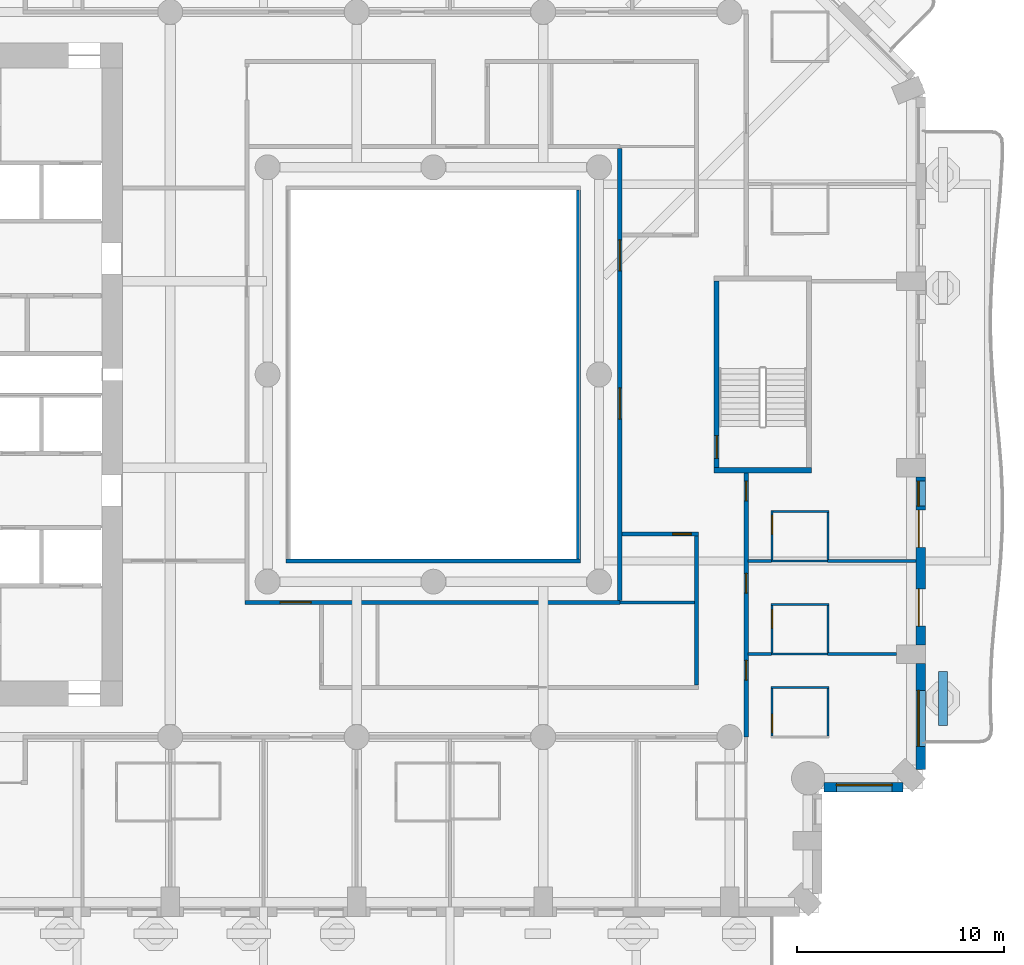
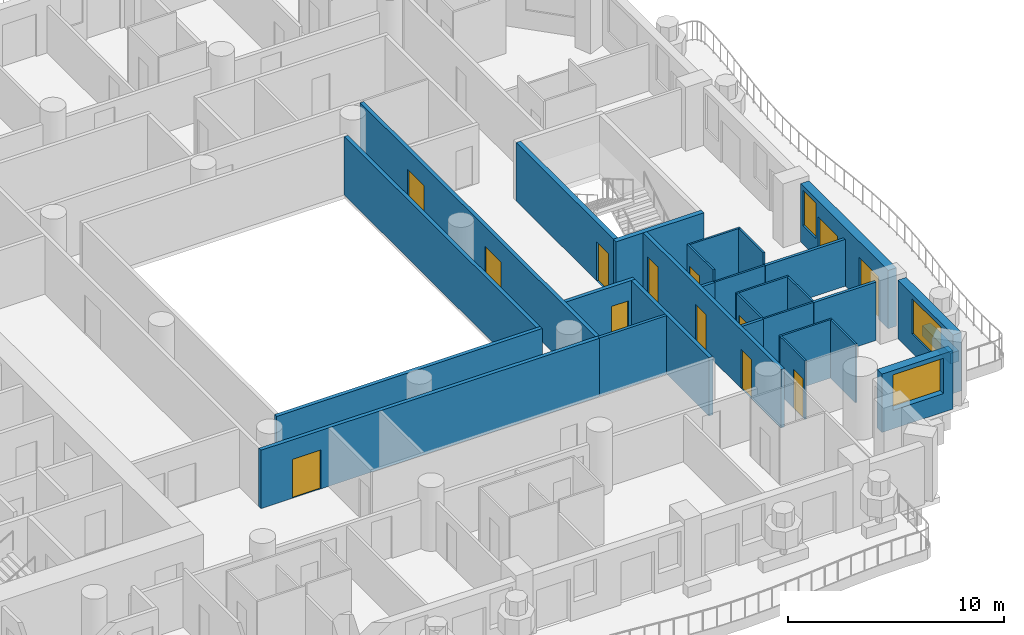
# One storey, part 6 of 20: 29 walls, 13 doors, 3 windows, 16 openings.
"""IFC4 building model written with IfcOpenShell, lengths in metres."""

from ifc_helpers import new_model, si_unit, direction, frame, frame_2d, origin, place, context, subcontext, project, spatial, rectangle, extrude, material, layer, layer_set, type_object, element, fill, save


model = new_model("IFC4")

# Units and contexts
model_context = context("Model", 3, precision=1e-05, world=origin(), true_north=direction((0.0, 1.0)))
body_context = subcontext(model_context, "Body", "Model", "MODEL_VIEW")
ifc_project = project(units=[si_unit("LENGTHUNIT", "METRE"), si_unit("AREAUNIT", "SQUARE_METRE"), si_unit("VOLUMEUNIT", "CUBIC_METRE"), si_unit("PLANEANGLEUNIT", "RADIAN"), si_unit("MASSUNIT", "GRAM", prefix="KILO")], contexts=[model_context])

# Site, building, storey
site_placement = place(None, origin())
site = spatial("IfcSite", under=ifc_project, at=site_placement, CompositionType="ELEMENT")
building_placement = place(site_placement, origin())
building = spatial("IfcBuilding", under=site, at=building_placement, Name="Cypress Arch Tower", CompositionType="ELEMENT")
storey_placement = place(building_placement, frame((0.0, 0.0, 84.300048828125)))
storey = spatial("IfcBuildingStorey", under=building, at=storey_placement, Name="L15", CompositionType="ELEMENT", Elevation=84.300048828125)

# Wall
ifc_material_1 = material(Name="Concrete C40/50, waterproofed", Category="concrete")
ifc_layer_1 = layer(ifc_material_1, 0.449951171875)
ifc_layer_set_1 = layer_set([ifc_layer_1], Name="Balcony planter wall PW450")
wall_type_1 = type_object("IfcWallType", Name="Balcony planter wall PW450", PredefinedType="SOLIDWALL", material=ifc_layer_set_1)
wall_1_placement = place(storey_placement, frame((25.60009765625, -16.949951171875, 0.0), z_axis=(0.0, 0.0, 1.0), x_axis=(0.0, 1.0, 0.0)))
element("IfcWall", 1, at=wall_1_placement, inside=storey, type_object=wall_type_1, Name="Balcony planter wall L15-A06.1", PredefinedType="SOLIDWALL", context=body_context, shape_type="SweptSolid", body=[
    extrude(rectangle(XDim=2.6142578125, YDim=0.449951171875, at=frame_2d((1.30712890625, 0.0))), origin(), (0.0, 0.0, 1.0), 0.599853515625),
])

# Wall, opening, window
ifc_material_2 = material(Name="Brick (red buff blend)", Category="masonry")
ifc_layer_2 = layer(ifc_material_2, 0.449951171875)
ifc_layer_set_2 = layer_set([ifc_layer_2], Name="Brick pier and spandrel wall BW450")
wall_type_2 = type_object("IfcWallType", Name="Brick pier and spandrel wall BW450", PredefinedType="SOLIDWALL", material=ifc_layer_set_2)
wall_2_placement = place(storey_placement, frame((19.8583984375, -19.925048828125, 0.0), z_axis=(0.0, 0.0, 1.0), x_axis=(1.0, 0.0, 0.0)))
wall_2 = element("IfcWall", 2, at=wall_2_placement, inside=storey, type_object=wall_type_2, Name="Brick wall L15 A05.0", PredefinedType="SOLIDWALL", context=body_context, shape_type="SweptSolid", body=[
    extrude(rectangle(XDim=3.80517578125, YDim=0.449951171875, at=frame_2d((1.902587890625, 0.0))), origin(), (0.0, 0.0, 1.0), 3.300048828125),
])
opening_1_placement = place(wall_2_placement, frame((0.591552734375, 0.0, 1.050048828125)))
opening_1 = element("IfcOpeningElement", 3, at=opening_1_placement, cuts=wall_2, Name="Opening W270H", PredefinedType="OPENING", context=body_context, shape_type="SweptSolid", body=[
    extrude(rectangle(XDim=2.699951171875, YDim=2.0, at=frame_2d((1.35009765625, 1.0))), frame((0.0, 0.23486328125, 0.0), z_axis=(0.0, -1.0, 0.0), x_axis=(1.0, 0.0, 0.0)), (0.0, 0.0, 1.0), 0.469970703125),
])
ifc_material_3 = material(Name="Anodised aluminium, bronze finish, clear low-emissivity double glazing", Category="aluminium")
window_type_1 = type_object("IfcWindowType", Name="Window Hotel 2700x2000", PartitioningType="SINGLE_PANEL", PredefinedType="WINDOW", material=ifc_material_3)
window_1_placement = place(opening_1_placement, origin())
window_1 = element("IfcWindow", 4, at=window_1_placement, inside=storey, type_object=window_type_1, Name="Window L15 A05.0.1", OverallHeight=2.0, OverallWidth=2.699951171875, PartitioningType="SINGLE_PANEL", PredefinedType="WINDOW", context=body_context, shape_type="SweptSolid", body=[
    extrude(rectangle(XDim=2.699951171875, YDim=2.0, at=frame_2d((1.35009765625, 1.0))), frame((0.0, 0.135009765625, 0.0), z_axis=(0.0, -1.0, 0.0), x_axis=(1.0, 0.0, 0.0)), (0.0, 0.0, 1.0), 0.06005859375),
])
fill(opening_1, window_1)

wall_3_placement = place(storey_placement, frame((24.52490234375, -19.063720703125, 0.0), z_axis=(0.0, 0.0, 1.0), x_axis=(0.0, 1.0, 0.0)))
wall_3 = element("IfcWall", 5, at=wall_3_placement, inside=storey, type_object=wall_type_2, Name="Brick wall L15 A06.0", PredefinedType="SOLIDWALL", context=body_context, shape_type="SweptSolid", body=[
    extrude(rectangle(XDim=5.11376953125, YDim=0.449951171875, at=frame_2d((2.556884765625, 0.0))), origin(), (0.0, 0.0, 1.0), 3.300048828125),
])
opening_2_placement = place(wall_3_placement, frame((1.113525390625, 0.0, 1.050048828125)))
opening_2 = element("IfcOpeningElement", 6, at=opening_2_placement, cuts=wall_3, Name="Opening W270HD", PredefinedType="OPENING", context=body_context, shape_type="SweptSolid", body=[
    extrude(rectangle(XDim=2.699951171875, YDim=2.0, at=frame_2d((1.35009765625, 1.0))), frame((0.0, 0.23486328125, 0.0), z_axis=(0.0, -1.0, 0.0), x_axis=(1.0, 0.0, 0.0)), (0.0, 0.0, 1.0), 0.469970703125),
])
ifc_material_4 = material(Name="Anodised aluminium, bronze finish, laminated low-emissivity double glazing, large-missile impact rated", Category="aluminium")
window_type_2 = type_object("IfcWindowType", Name="Window Hotel 2700x2000 debris-rated", PartitioningType="SINGLE_PANEL", PredefinedType="WINDOW", material=ifc_material_4)
window_2_placement = place(opening_2_placement, origin())
window_2 = element("IfcWindow", 7, at=window_2_placement, inside=storey, type_object=window_type_2, Name="Window L15 A06.0.1", OverallHeight=2.0, OverallWidth=2.699951171875, PartitioningType="SINGLE_PANEL", PredefinedType="WINDOW", context=body_context, shape_type="SweptSolid", body=[
    extrude(rectangle(XDim=2.699951171875, YDim=2.0, at=frame_2d((1.35009765625, 1.0))), frame((0.0, 0.135009765625, 0.0), z_axis=(0.0, -1.0, 0.0), x_axis=(1.0, 0.0, 0.0)), (0.0, 0.0, 1.0), 0.06005859375),
])
fill(opening_2, window_2)

# Wall, openings, doors, window
wall_4_placement = place(storey_placement, frame((24.52490234375, -13.050048828125, 0.0), z_axis=(0.0, 0.0, 1.0), x_axis=(0.0, 1.0, 0.0)))
wall_4 = element("IfcWall", 8, at=wall_4_placement, inside=storey, type_object=wall_type_2, Name="Brick wall L15 A06.1", PredefinedType="SOLIDWALL", context=body_context, shape_type="SweptSolid", body=[
    extrude(rectangle(XDim=8.10009765625, YDim=0.449951171875, at=frame_2d((4.050048828125, 0.0))), origin(), (0.0, 0.0, 1.0), 3.300048828125),
])
opening_3_placement = place(wall_4_placement, frame((0.89990234375, 0.0, 0.0)))
opening_3 = element("IfcOpeningElement", 9, at=opening_3_placement, cuts=wall_4, Name="Opening D-L15-A06.1.1", PredefinedType="OPENING", context=body_context, shape_type="SweptSolid", body=[
    extrude(rectangle(XDim=1.800048828125, YDim=2.39990234375, at=frame_2d((0.89990234375, 1.199951171875))), frame((0.0, 0.23486328125, 0.0), z_axis=(0.0, -1.0, 0.0), x_axis=(1.0, 0.0, 0.0)), (0.0, 0.0, 1.0), 0.469970703125),
])
opening_4_placement = place(wall_4_placement, frame((4.699951171875, 0.0, 0.0)))
opening_4 = element("IfcOpeningElement", 10, at=opening_4_placement, cuts=wall_4, Name="Opening D-L15-A06.1.2", PredefinedType="OPENING", context=body_context, shape_type="SweptSolid", body=[
    extrude(rectangle(XDim=1.800048828125, YDim=2.39990234375, at=frame_2d((0.89990234375, 1.199951171875))), frame((0.0, 0.23486328125, 0.0), z_axis=(0.0, -1.0, 0.0), x_axis=(1.0, 0.0, 0.0)), (0.0, 0.0, 1.0), 0.469970703125),
])
opening_5_placement = place(wall_4_placement, frame((6.699951171875, 0.0, 1.050048828125)))
opening_5 = element("IfcOpeningElement", 11, at=opening_5_placement, cuts=wall_4, Name="Opening W120HD", PredefinedType="OPENING", context=body_context, shape_type="SweptSolid", body=[
    extrude(rectangle(XDim=1.199951171875, YDim=2.0, at=frame_2d((0.60009765625, 1.0))), frame((0.0, 0.23486328125, 0.0), z_axis=(0.0, -1.0, 0.0), x_axis=(1.0, 0.0, 0.0)), (0.0, 0.0, 1.0), 0.469970703125),
])
ifc_material_5 = material(Name="Anodised aluminium, bronze finish, laminated low-emissivity double glazing, large-missile impact rated", Category="aluminium")
door_type_1 = type_object("IfcDoorType", Name="Balcony sliding door 1800x2400", OperationType="SLIDING_TO_LEFT", PredefinedType="DOOR", material=ifc_material_5)
door_1_placement = place(opening_3_placement, origin())
door_1 = element("IfcDoor", 12, at=door_1_placement, inside=storey, type_object=door_type_1, Name="Balcony door L15 A06.1.1", OperationType="SLIDING_TO_LEFT", OverallHeight=2.39990234375, OverallWidth=1.800048828125, PredefinedType="DOOR", context=body_context, shape_type="SweptSolid", body=[
    extrude(rectangle(XDim=1.800048828125, YDim=2.39990234375, at=frame_2d((0.89990234375, 1.199951171875))), frame((0.0, 0.1298828125, 0.0), z_axis=(0.0, -1.0, 0.0), x_axis=(1.0, 0.0, 0.0)), (0.0, 0.0, 1.0), 0.050048828125),
])
fill(opening_3, door_1)
door_2_placement = place(opening_4_placement, origin())
door_2 = element("IfcDoor", 13, at=door_2_placement, inside=storey, type_object=door_type_1, Name="Balcony door L15 A06.1.2", OperationType="SLIDING_TO_LEFT", OverallHeight=2.39990234375, OverallWidth=1.800048828125, PredefinedType="DOOR", context=body_context, shape_type="SweptSolid", body=[
    extrude(rectangle(XDim=1.800048828125, YDim=2.39990234375, at=frame_2d((0.89990234375, 1.199951171875))), frame((0.0, 0.1298828125, 0.0), z_axis=(0.0, -1.0, 0.0), x_axis=(1.0, 0.0, 0.0)), (0.0, 0.0, 1.0), 0.050048828125),
])
fill(opening_4, door_2)
ifc_material_6 = material(Name="Anodised aluminium, bronze finish, laminated low-emissivity double glazing, large-missile impact rated", Category="aluminium")
window_type_3 = type_object("IfcWindowType", Name="Window Hotel 1200x2000 debris-rated", PartitioningType="SINGLE_PANEL", PredefinedType="WINDOW", material=ifc_material_6)
window_3_placement = place(opening_5_placement, origin())
window_3 = element("IfcWindow", 14, at=window_3_placement, inside=storey, type_object=window_type_3, Name="Window L15 A06.1.2", OverallHeight=2.0, OverallWidth=1.199951171875, PartitioningType="SINGLE_PANEL", PredefinedType="WINDOW", context=body_context, shape_type="SweptSolid", body=[
    extrude(rectangle(XDim=1.199951171875, YDim=2.0, at=frame_2d((0.60009765625, 1.0))), frame((0.0, 0.135009765625, 0.0), z_axis=(0.0, -1.0, 0.0), x_axis=(1.0, 0.0, 0.0)), (0.0, 0.0, 1.0), 0.06005859375),
])
fill(opening_5, window_3)

# Wall, opening, door
ifc_material_7 = material(Name="Concrete blockwork, plastered, rated", Category="masonry")
ifc_layer_3 = layer(ifc_material_7, 0.199951171875)
ifc_layer_set_3 = layer_set([ifc_layer_3], Name="Corridor wall FW200")
wall_type_3 = type_object("IfcWallType", Name="Corridor wall FW200", PredefinedType="PARTITIONING", material=ifc_layer_set_3)
wall_5_placement = place(storey_placement, frame((-8.10009765625, -11.0, 0.0), z_axis=(0.0, 0.0, 1.0), x_axis=(1.0, 0.0, 0.0)))
wall_5 = element("IfcWall", 15, at=wall_5_placement, inside=storey, type_object=wall_type_3, Name="Corridor wall", PredefinedType="PARTITIONING", context=body_context, shape_type="SweptSolid", body=[
    extrude(rectangle(XDim=18.10009765625, YDim=0.199951171875, at=frame_2d((9.050048828125, 0.0))), origin(), (0.0, 0.0, 1.0), 3.300048828125),
])
opening_6_placement = place(wall_5_placement, frame((1.699951171875, 0.0, 0.0)))
opening_6 = element("IfcOpeningElement", 16, at=opening_6_placement, cuts=wall_5, Name="Opening D04", PredefinedType="OPENING", context=body_context, shape_type="SweptSolid", body=[
    extrude(rectangle(XDim=1.5, YDim=2.199951171875, at=frame_2d((0.75, 1.10009765625))), frame((0.0, 0.10986328125, 0.0), z_axis=(0.0, -1.0, 0.0), x_axis=(1.0, 0.0, 0.0)), (0.0, 0.0, 1.0), 0.219970703125),
])
ifc_material_8 = material(Name="Timber double door", Category="wood")
door_type_2 = type_object("IfcDoorType", Name="Double door D04 1500x2200", OperationType="DOUBLE_DOOR_SINGLE_SWING", PredefinedType="DOOR", material=ifc_material_8)
door_3_placement = place(opening_6_placement, origin())
door_3 = element("IfcDoor", 17, at=door_3_placement, inside=storey, type_object=door_type_2, Name="Double door", OperationType="DOUBLE_DOOR_SINGLE_SWING", OverallHeight=2.199951171875, OverallWidth=1.5, PredefinedType="DOOR", context=body_context, shape_type="SweptSolid", body=[
    extrude(rectangle(XDim=1.5, YDim=2.199951171875, at=frame_2d((0.75, 1.10009765625))), frame((0.0, 0.02490234375, 0.0), z_axis=(0.0, -1.0, 0.0), x_axis=(1.0, 0.0, 0.0)), (0.0, 0.0, 1.0), 0.050048828125),
])
fill(opening_6, door_3)

# Walls
wall_6_placement = place(storey_placement, frame((-6.10009765625, -9.0, 0.0), z_axis=(0.0, 0.0, 1.0), x_axis=(1.0, 0.0, 0.0)))
element("IfcWall", 18, at=wall_6_placement, inside=storey, type_object=wall_type_3, Name="Corridor wall", PredefinedType="PARTITIONING", context=body_context, shape_type="SweptSolid", body=[
    extrude(rectangle(XDim=14.2001953125, YDim=0.199951171875, at=frame_2d((7.10009765625, 0.0))), origin(), (0.0, 0.0, 1.0), 3.300048828125),
])
wall_7_placement = place(storey_placement, frame((8.0, -8.89990234375, 0.0), z_axis=(0.0, 0.0, 1.0), x_axis=(0.0, 1.0, 0.0)))
element("IfcWall", 19, at=wall_7_placement, inside=storey, type_object=wall_type_3, Name="Corridor wall", PredefinedType="PARTITIONING", context=body_context, shape_type="SweptSolid", body=[
    extrude(rectangle(XDim=17.7998046875, YDim=0.199951171875, at=frame_2d((8.89990234375, 0.0))), origin(), (0.0, 0.0, 1.0), 3.300048828125),
])

# Wall, openings, doors
wall_8_placement = place(storey_placement, frame((10.0, -10.89990234375, 0.0), z_axis=(0.0, 0.0, 1.0), x_axis=(0.0, 1.0, 0.0)))
wall_8 = element("IfcWall", 20, at=wall_8_placement, inside=storey, type_object=wall_type_3, Name="Corridor wall", PredefinedType="PARTITIONING", context=body_context, shape_type="SweptSolid", body=[
    extrude(rectangle(XDim=21.7998046875, YDim=0.199951171875, at=frame_2d((10.89990234375, 0.0))), origin(), (0.0, 0.0, 1.0), 3.300048828125),
])
opening_7_placement = place(wall_8_placement, frame((15.89990234375, 0.0, 0.0)))
opening_7 = element("IfcOpeningElement", 21, at=opening_7_placement, cuts=wall_8, Name="Opening D04", PredefinedType="OPENING", context=body_context, shape_type="SweptSolid", body=[
    extrude(rectangle(XDim=1.5, YDim=2.199951171875, at=frame_2d((0.75, 1.10009765625))), frame((0.0, 0.10986328125, 0.0), z_axis=(0.0, -1.0, 0.0), x_axis=(1.0, 0.0, 0.0)), (0.0, 0.0, 1.0), 0.219970703125),
])
opening_8_placement = place(wall_8_placement, frame((8.75, 0.0, 0.0)))
opening_8 = element("IfcOpeningElement", 22, at=opening_8_placement, cuts=wall_8, Name="Opening D04", PredefinedType="OPENING", context=body_context, shape_type="SweptSolid", body=[
    extrude(rectangle(XDim=1.5, YDim=2.199951171875, at=frame_2d((0.75, 1.10009765625))), frame((0.0, 0.10986328125, 0.0), z_axis=(0.0, -1.0, 0.0), x_axis=(1.0, 0.0, 0.0)), (0.0, 0.0, 1.0), 0.219970703125),
])
door_4_placement = place(opening_7_placement, origin())
door_4 = element("IfcDoor", 23, at=door_4_placement, inside=storey, type_object=door_type_2, Name="Double door", OperationType="DOUBLE_DOOR_SINGLE_SWING", OverallHeight=2.199951171875, OverallWidth=1.5, PredefinedType="DOOR", context=body_context, shape_type="SweptSolid", body=[
    extrude(rectangle(XDim=1.5, YDim=2.199951171875, at=frame_2d((0.75, 1.10009765625))), frame((0.0, 0.02490234375, 0.0), z_axis=(0.0, -1.0, 0.0), x_axis=(1.0, 0.0, 0.0)), (0.0, 0.0, 1.0), 0.050048828125),
])
fill(opening_7, door_4)
door_5_placement = place(opening_8_placement, origin())
door_5 = element("IfcDoor", 24, at=door_5_placement, inside=storey, type_object=door_type_2, Name="Double door", OperationType="DOUBLE_DOOR_SINGLE_SWING", OverallHeight=2.199951171875, OverallWidth=1.5, PredefinedType="DOOR", context=body_context, shape_type="SweptSolid", body=[
    extrude(rectangle(XDim=1.5, YDim=2.199951171875, at=frame_2d((0.75, 1.10009765625))), frame((0.0, 0.02490234375, 0.0), z_axis=(0.0, -1.0, 0.0), x_axis=(1.0, 0.0, 0.0)), (0.0, 0.0, 1.0), 0.050048828125),
])
fill(opening_8, door_5)

# Wall, opening, door
wall_9_placement = place(storey_placement, frame((10.10009765625, -7.699951171875, 0.0), z_axis=(0.0, 0.0, 1.0), x_axis=(1.0, 0.0, 0.0)))
wall_9 = element("IfcWall", 25, at=wall_9_placement, inside=storey, type_object=wall_type_3, Name="Corridor wall", PredefinedType="PARTITIONING", context=body_context, shape_type="SweptSolid", body=[
    extrude(rectangle(XDim=3.699951171875, YDim=0.199951171875, at=frame_2d((1.85009765625, 0.0))), origin(), (0.0, 0.0, 1.0), 3.300048828125),
])
opening_9_placement = place(wall_9_placement, frame((2.449951171875, 0.0, 0.0)))
opening_9 = element("IfcOpeningElement", 26, at=opening_9_placement, cuts=wall_9, Name="Opening D05", PredefinedType="OPENING", context=body_context, shape_type="SweptSolid", body=[
    extrude(rectangle(XDim=0.89990234375, YDim=2.199951171875, at=frame_2d((0.449951171875, 1.10009765625))), frame((0.0, 0.10986328125, 0.0), z_axis=(0.0, -1.0, 0.0), x_axis=(1.0, 0.0, 0.0)), (0.0, 0.0, 1.0), 0.219970703125),
])
ifc_material_9 = material(Name="Timber flush door", Category="wood")
door_type_3 = type_object("IfcDoorType", Name="Service door D05 900x2200", OperationType="SINGLE_SWING_LEFT", PredefinedType="DOOR", material=ifc_material_9)
door_6_placement = place(opening_9_placement, origin())
door_6 = element("IfcDoor", 27, at=door_6_placement, inside=storey, type_object=door_type_3, Name="Service door", OperationType="SINGLE_SWING_LEFT", OverallHeight=2.199951171875, OverallWidth=0.89990234375, PredefinedType="DOOR", context=body_context, shape_type="SweptSolid", body=[
    extrude(rectangle(XDim=0.89990234375, YDim=2.199951171875, at=frame_2d((0.449951171875, 1.10009765625))), frame((0.0, 0.02490234375, 0.0), z_axis=(0.0, -1.0, 0.0), x_axis=(1.0, 0.0, 0.0)), (0.0, 0.0, 1.0), 0.050048828125),
])
fill(opening_9, door_6)

# Wall
wall_10_placement = place(storey_placement, frame((13.699951171875, -15.0, 0.0), z_axis=(0.0, 0.0, 1.0), x_axis=(0.0, 1.0, 0.0)))
element("IfcWall", 28, at=wall_10_placement, inside=storey, type_object=wall_type_3, Name="Corridor wall", PredefinedType="PARTITIONING", context=body_context, shape_type="SweptSolid", body=[
    extrude(rectangle(XDim=7.199951171875, YDim=0.199951171875, at=frame_2d((3.60009765625, 0.0))), origin(), (0.0, 0.0, 1.0), 3.300048828125),
])

# Wall, openings, doors
wall_11_placement = place(storey_placement, frame((16.10009765625, -17.5, 0.0), z_axis=(0.0, 0.0, 1.0), x_axis=(0.0, 1.0, 0.0)))
wall_11 = element("IfcWall", 29, at=wall_11_placement, inside=storey, type_object=wall_type_3, Name="Corridor wall", PredefinedType="PARTITIONING", context=body_context, shape_type="SweptSolid", body=[
    extrude(rectangle(XDim=12.75, YDim=0.199951171875, at=frame_2d((6.375, 0.0))), origin(), (0.0, 0.0, 1.0), 3.300048828125),
])
opening_10_placement = place(wall_11_placement, frame((2.75, 0.0, 0.0)))
opening_10 = element("IfcOpeningElement", 30, at=opening_10_placement, cuts=wall_11, Name="Opening D02", PredefinedType="OPENING", context=body_context, shape_type="SweptSolid", body=[
    extrude(rectangle(XDim=0.949951171875, YDim=2.199951171875, at=frame_2d((0.47509765625, 1.10009765625))), frame((0.0, 0.10986328125, 0.0), z_axis=(0.0, -1.0, 0.0), x_axis=(1.0, 0.0, 0.0)), (0.0, 0.0, 1.0), 0.219970703125),
])
opening_11_placement = place(wall_11_placement, frame((6.949951171875, 0.0, 0.0)))
opening_11 = element("IfcOpeningElement", 31, at=opening_11_placement, cuts=wall_11, Name="Opening D02", PredefinedType="OPENING", context=body_context, shape_type="SweptSolid", body=[
    extrude(rectangle(XDim=0.949951171875, YDim=2.199951171875, at=frame_2d((0.47509765625, 1.10009765625))), frame((0.0, 0.10986328125, 0.0), z_axis=(0.0, -1.0, 0.0), x_axis=(1.0, 0.0, 0.0)), (0.0, 0.0, 1.0), 0.219970703125),
])
opening_12_placement = place(wall_11_placement, frame((11.39990234375, 0.0, 0.0)))
opening_12 = element("IfcOpeningElement", 32, at=opening_12_placement, cuts=wall_11, Name="Opening D02", PredefinedType="OPENING", context=body_context, shape_type="SweptSolid", body=[
    extrude(rectangle(XDim=0.949951171875, YDim=2.199951171875, at=frame_2d((0.47509765625, 1.10009765625))), frame((0.0, 0.10986328125, 0.0), z_axis=(0.0, -1.0, 0.0), x_axis=(1.0, 0.0, 0.0)), (0.0, 0.0, 1.0), 0.219970703125),
])
ifc_material_10 = material(Name="Timber flush door, fire resisting", Category="wood")
door_type_4 = type_object("IfcDoorType", Name="Room door D02 950x2200", OperationType="SINGLE_SWING_LEFT", PredefinedType="DOOR", material=ifc_material_10)
door_7_placement = place(opening_10_placement, origin())
door_7 = element("IfcDoor", 33, at=door_7_placement, inside=storey, type_object=door_type_4, Name="Room door", OperationType="SINGLE_SWING_LEFT", OverallHeight=2.199951171875, OverallWidth=0.949951171875, PredefinedType="DOOR", context=body_context, shape_type="SweptSolid", body=[
    extrude(rectangle(XDim=0.949951171875, YDim=2.199951171875, at=frame_2d((0.47509765625, 1.10009765625))), frame((0.0, 0.02490234375, 0.0), z_axis=(0.0, -1.0, 0.0), x_axis=(1.0, 0.0, 0.0)), (0.0, 0.0, 1.0), 0.050048828125),
])
fill(opening_10, door_7)
door_8_placement = place(opening_11_placement, origin())
door_8 = element("IfcDoor", 34, at=door_8_placement, inside=storey, type_object=door_type_4, Name="Room door", OperationType="SINGLE_SWING_LEFT", OverallHeight=2.199951171875, OverallWidth=0.949951171875, PredefinedType="DOOR", context=body_context, shape_type="SweptSolid", body=[
    extrude(rectangle(XDim=0.949951171875, YDim=2.199951171875, at=frame_2d((0.47509765625, 1.10009765625))), frame((0.0, 0.02490234375, 0.0), z_axis=(0.0, -1.0, 0.0), x_axis=(1.0, 0.0, 0.0)), (0.0, 0.0, 1.0), 0.050048828125),
])
fill(opening_11, door_8)
door_9_placement = place(opening_12_placement, origin())
door_9 = element("IfcDoor", 35, at=door_9_placement, inside=storey, type_object=door_type_4, Name="Room door", OperationType="SINGLE_SWING_LEFT", OverallHeight=2.199951171875, OverallWidth=0.949951171875, PredefinedType="DOOR", context=body_context, shape_type="SweptSolid", body=[
    extrude(rectangle(XDim=0.949951171875, YDim=2.199951171875, at=frame_2d((0.47509765625, 1.10009765625))), frame((0.0, 0.02490234375, 0.0), z_axis=(0.0, -1.0, 0.0), x_axis=(1.0, 0.0, 0.0)), (0.0, 0.0, 1.0), 0.050048828125),
])
fill(opening_12, door_9)

# Walls
ifc_material_11 = material(Name="Blockwork, plastered both sides", Category="masonry")
ifc_layer_4 = layer(ifc_material_11, 0.14990234375)
ifc_layer_set_4 = layer_set([ifc_layer_4], Name="Partition PW150")
wall_type_4 = type_object("IfcWallType", Name="Partition PW150", PredefinedType="PARTITIONING", material=ifc_layer_set_4)
wall_12_placement = place(storey_placement, frame((10.0, -11.0, 0.0), z_axis=(0.0, 0.0, 1.0), x_axis=(1.0, 0.0, 0.0)))
element("IfcWall", 36, at=wall_12_placement, inside=storey, type_object=wall_type_4, Name="Partition", PredefinedType="PARTITIONING", context=body_context, shape_type="SweptSolid", body=[
    extrude(rectangle(XDim=3.60009765625, YDim=0.14990234375, at=frame_2d((1.800048828125, 0.0))), origin(), (0.0, 0.0, 1.0), 3.300048828125),
])
wall_13_placement = place(storey_placement, frame((16.199951171875, -13.5, 0.0), z_axis=(0.0, 0.0, 1.0), x_axis=(1.0, 0.0, 0.0)))
element("IfcWall", 37, at=wall_13_placement, inside=storey, type_object=wall_type_4, Name="Partition", PredefinedType="PARTITIONING", context=body_context, shape_type="SweptSolid", body=[
    extrude(rectangle(XDim=1.130126953125, YDim=0.14990234375, at=frame_2d((0.56494140625, 0.0))), origin(), (0.0, 0.0, 1.0), 3.300048828125),
])
wall_14_placement = place(storey_placement, frame((16.199951171875, -9.0, 0.0), z_axis=(0.0, 0.0, 1.0), x_axis=(1.0, 0.0, 0.0)))
element("IfcWall", 38, at=wall_14_placement, inside=storey, type_object=wall_type_4, Name="Partition", PredefinedType="PARTITIONING", context=body_context, shape_type="SweptSolid", body=[
    extrude(rectangle(XDim=1.130126953125, YDim=0.14990234375, at=frame_2d((0.56494140625, 0.0))), origin(), (0.0, 0.0, 1.0), 2.64990234375),
])
wall_15_placement = place(storey_placement, frame((20.030029296875, -13.5, 0.0), z_axis=(0.0, 0.0, 1.0), x_axis=(1.0, 0.0, 0.0)))
element("IfcWall", 39, at=wall_15_placement, inside=storey, type_object=wall_type_4, Name="Partition", PredefinedType="PARTITIONING", context=body_context, shape_type="SweptSolid", body=[
    extrude(rectangle(XDim=3.320068359375, YDim=0.14990234375, at=frame_2d((1.66015625, 0.0))), origin(), (0.0, 0.0, 1.0), 3.300048828125),
])
wall_16_placement = place(storey_placement, frame((20.030029296875, -9.0, 0.0), z_axis=(0.0, 0.0, 1.0), x_axis=(1.0, 0.0, 0.0)))
element("IfcWall", 40, at=wall_16_placement, inside=storey, type_object=wall_type_4, Name="Partition", PredefinedType="PARTITIONING", context=body_context, shape_type="SweptSolid", body=[
    extrude(rectangle(XDim=4.27001953125, YDim=0.14990234375, at=frame_2d((2.135009765625, 0.0))), origin(), (0.0, 0.0, 1.0), 2.64990234375),
])

# Wall, opening, door
ifc_material_12 = material(Name="Concrete C50/60", Category="concrete")
ifc_layer_5 = layer(ifc_material_12, 0.25)
ifc_layer_set_5 = layer_set([ifc_layer_5], Name="Stair enclosure wall SW250")
wall_type_5 = type_object("IfcWallType", Name="Stair enclosure wall SW250", PredefinedType="SHEAR", material=ifc_layer_set_5)
wall_17_placement = place(storey_placement, frame((14.675048828125, -4.5, 0.0), z_axis=(0.0, 0.0, 1.0), x_axis=(0.0, 1.0, 0.0)))
wall_17 = element("IfcWall", 41, at=wall_17_placement, inside=storey, type_object=wall_type_5, Name="Stair enclosure wall", PredefinedType="SHEAR", context=body_context, shape_type="SweptSolid", body=[
    extrude(rectangle(XDim=9.0, YDim=0.25, at=frame_2d((4.5, 0.0))), origin(), (0.0, 0.0, 1.0), 3.300048828125),
])
opening_13_placement = place(wall_17_placement, frame((0.449951171875, 0.0, 0.0)))
opening_13 = element("IfcOpeningElement", 42, at=opening_13_placement, cuts=wall_17, Name="Opening D06", PredefinedType="OPENING", context=body_context, shape_type="SweptSolid", body=[
    extrude(rectangle(XDim=1.10009765625, YDim=2.199951171875, at=frame_2d((0.550048828125, 1.10009765625))), frame((0.0, 0.135009765625, 0.0), z_axis=(0.0, -1.0, 0.0), x_axis=(1.0, 0.0, 0.0)), (0.0, 0.0, 1.0), 0.27001953125),
])
ifc_material_13 = material(Name="Steel door, fire resisting, panic bar", Category="steel")
door_type_5 = type_object("IfcDoorType", Name="Stair door D06 1100x2200", OperationType="SINGLE_SWING_LEFT", PredefinedType="DOOR", material=ifc_material_13)
door_10_placement = place(opening_13_placement, origin())
door_10 = element("IfcDoor", 43, at=door_10_placement, inside=storey, type_object=door_type_5, Name="Stair door", OperationType="SINGLE_SWING_RIGHT", OverallHeight=2.199951171875, OverallWidth=1.10009765625, PredefinedType="DOOR", context=body_context, shape_type="SweptSolid", body=[
    extrude(rectangle(XDim=1.10009765625, YDim=2.199951171875, at=frame_2d((0.550048828125, 1.10009765625))), frame((0.0, 0.02490234375, 0.0), z_axis=(0.0, -1.0, 0.0), x_axis=(1.0, 0.0, 0.0)), (0.0, 0.0, 1.0), 0.050048828125),
])
fill(opening_13, door_10)

# Walls
wall_18_placement = place(storey_placement, frame((14.550048828125, -4.625, 0.0), z_axis=(0.0, 0.0, 1.0), x_axis=(1.0, 0.0, 0.0)))
element("IfcWall", 44, at=wall_18_placement, inside=storey, type_object=wall_type_5, Name="Stair enclosure wall", PredefinedType="SHEAR", context=body_context, shape_type="SweptSolid", body=[
    extrude(rectangle(XDim=4.699951171875, YDim=0.25, at=frame_2d((2.35009765625, 0.0))), origin(), (0.0, 0.0, 1.0), 3.300048828125),
])
ifc_material_14 = material(Name="Moisture resistant board on steel studs, tiled", Category="steel")
ifc_layer_6 = layer(ifc_material_14, 0.10009765625)
ifc_layer_set_6 = layer_set([ifc_layer_6], Name="Wet wall PW100")
wall_type_6 = type_object("IfcWallType", Name="Wet wall PW100", PredefinedType="PARTITIONING", material=ifc_layer_set_6)
wall_19_placement = place(storey_placement, frame((17.330078125, -13.5, 0.0), z_axis=(0.0, 0.0, 1.0), x_axis=(1.0, 0.0, 0.0)))
element("IfcWall", 45, at=wall_19_placement, inside=storey, type_object=wall_type_6, Name="Wet wall", PredefinedType="PARTITIONING", context=body_context, shape_type="SweptSolid", body=[
    extrude(rectangle(XDim=2.699951171875, YDim=0.10009765625, at=frame_2d((1.35009765625, 0.0))), origin(), (0.0, 0.0, 1.0), 3.300048828125),
])
wall_20_placement = place(storey_placement, frame((17.330078125, -9.0, 0.0), z_axis=(0.0, 0.0, 1.0), x_axis=(1.0, 0.0, 0.0)))
element("IfcWall", 46, at=wall_20_placement, inside=storey, type_object=wall_type_6, Name="Wet wall", PredefinedType="PARTITIONING", context=body_context, shape_type="SweptSolid", body=[
    extrude(rectangle(XDim=2.699951171875, YDim=0.10009765625, at=frame_2d((1.35009765625, 0.0))), origin(), (0.0, 0.0, 1.0), 2.64990234375),
])

# Wall, opening, door
wall_21_placement = place(storey_placement, frame((17.35009765625, -17.449951171875, 0.0), z_axis=(0.0, 0.0, 1.0), x_axis=(0.0, 1.0, 0.0)))
wall_21 = element("IfcWall", 47, at=wall_21_placement, inside=storey, type_object=wall_type_6, Name="Wet wall", PredefinedType="PARTITIONING", context=body_context, shape_type="SweptSolid", body=[
    extrude(rectangle(XDim=2.300048828125, YDim=0.10009765625, at=frame_2d((1.14990234375, 0.0))), origin(), (0.0, 0.0, 1.0), 3.300048828125),
])
opening_14_placement = place(wall_21_placement, frame((0.14990234375, 0.0, 0.0)))
opening_14 = element("IfcOpeningElement", 48, at=opening_14_placement, cuts=wall_21, Name="Opening D03", PredefinedType="OPENING", context=body_context, shape_type="SweptSolid", body=[
    extrude(rectangle(XDim=0.89990234375, YDim=2.199951171875, at=frame_2d((0.449951171875, 1.10009765625))), frame((0.0, 0.06005859375, 0.0), z_axis=(0.0, -1.0, 0.0), x_axis=(1.0, 0.0, 0.0)), (0.0, 0.0, 1.0), 0.1201171875),
])
ifc_material_15 = material(Name="Timber flush door, moisture resistant", Category="wood")
door_type_6 = type_object("IfcDoorType", Name="Bathroom door D03 900x2200", OperationType="SINGLE_SWING_LEFT", PredefinedType="DOOR", material=ifc_material_15)
door_11_placement = place(opening_14_placement, origin())
door_11 = element("IfcDoor", 49, at=door_11_placement, inside=storey, type_object=door_type_6, Name="Bathroom door", OperationType="SINGLE_SWING_RIGHT", OverallHeight=2.199951171875, OverallWidth=0.89990234375, PredefinedType="DOOR", context=body_context, shape_type="SweptSolid", body=[
    extrude(rectangle(XDim=0.89990234375, YDim=2.199951171875, at=frame_2d((0.449951171875, 1.10009765625))), frame((0.0, 0.02490234375, 0.0), z_axis=(0.0, -1.0, 0.0), x_axis=(1.0, 0.0, 0.0)), (0.0, 0.0, 1.0), 0.050048828125),
])
fill(opening_14, door_11)

# Wall
wall_22_placement = place(storey_placement, frame((17.300048828125, -15.10009765625, 0.0), z_axis=(0.0, 0.0, 1.0), x_axis=(1.0, 0.0, 0.0)))
element("IfcWall", 50, at=wall_22_placement, inside=storey, type_object=wall_type_6, Name="Wet wall", PredefinedType="PARTITIONING", context=body_context, shape_type="SweptSolid", body=[
    extrude(rectangle(XDim=2.800048828125, YDim=0.10009765625, at=frame_2d((1.39990234375, 0.0))), origin(), (0.0, 0.0, 1.0), 3.300048828125),
])

# Wall, opening, door
wall_23_placement = place(storey_placement, frame((17.35009765625, -13.449951171875, 0.0), z_axis=(0.0, 0.0, 1.0), x_axis=(0.0, 1.0, 0.0)))
wall_23 = element("IfcWall", 51, at=wall_23_placement, inside=storey, type_object=wall_type_6, Name="Wet wall", PredefinedType="PARTITIONING", context=body_context, shape_type="SweptSolid", body=[
    extrude(rectangle(XDim=2.2958984375, YDim=0.10009765625, at=frame_2d((1.14794921875, 0.0))), origin(), (0.0, 0.0, 1.0), 3.300048828125),
])
opening_15_placement = place(wall_23_placement, frame((1.199951171875, 0.0, 0.0)))
opening_15 = element("IfcOpeningElement", 52, at=opening_15_placement, cuts=wall_23, Name="Opening D03", PredefinedType="OPENING", context=body_context, shape_type="SweptSolid", body=[
    extrude(rectangle(XDim=0.89990234375, YDim=2.199951171875, at=frame_2d((0.449951171875, 1.10009765625))), frame((0.0, 0.06005859375, 0.0), z_axis=(0.0, -1.0, 0.0), x_axis=(1.0, 0.0, 0.0)), (0.0, 0.0, 1.0), 0.1201171875),
])
door_12_placement = place(opening_15_placement, origin())
door_12 = element("IfcDoor", 53, at=door_12_placement, inside=storey, type_object=door_type_6, Name="Bathroom door", OperationType="SINGLE_SWING_LEFT", OverallHeight=2.199951171875, OverallWidth=0.89990234375, PredefinedType="DOOR", context=body_context, shape_type="SweptSolid", body=[
    extrude(rectangle(XDim=0.89990234375, YDim=2.199951171875, at=frame_2d((0.449951171875, 1.10009765625))), frame((0.0, 0.02490234375, 0.0), z_axis=(0.0, -1.0, 0.0), x_axis=(1.0, 0.0, 0.0)), (0.0, 0.0, 1.0), 0.050048828125),
])
fill(opening_15, door_12)

# Wall
wall_24_placement = place(storey_placement, frame((17.300048828125, -11.10400390625, 0.0), z_axis=(0.0, 0.0, 1.0), x_axis=(1.0, 0.0, 0.0)))
element("IfcWall", 54, at=wall_24_placement, inside=storey, type_object=wall_type_6, Name="Wet wall", PredefinedType="PARTITIONING", context=body_context, shape_type="SweptSolid", body=[
    extrude(rectangle(XDim=2.800048828125, YDim=0.10009765625, at=frame_2d((1.39990234375, 0.0))), origin(), (0.0, 0.0, 1.0), 3.300048828125),
])

# Wall, opening, door
wall_25_placement = place(storey_placement, frame((17.35009765625, -8.949951171875, 0.0), z_axis=(0.0, 0.0, 1.0), x_axis=(0.000407580973, 0.999999916939, 0.0)))
wall_25 = element("IfcWall", 55, at=wall_25_placement, inside=storey, type_object=wall_type_6, Name="Wet wall", PredefinedType="PARTITIONING", context=body_context, shape_type="SweptSolid", body=[
    extrude(rectangle(XDim=2.39599609375, YDim=0.10009765625, at=frame_2d((1.197998046875, 0.0))), origin(), (0.0, 0.0, 1.0), 3.300048828125),
])
opening_16_placement = place(wall_25_placement, frame((1.25, 0.0, 0.0)))
opening_16 = element("IfcOpeningElement", 56, at=opening_16_placement, cuts=wall_25, Name="Opening D03", PredefinedType="OPENING", context=body_context, shape_type="SweptSolid", body=[
    extrude(rectangle(XDim=0.89990234375, YDim=2.199951171875, at=frame_2d((0.449951171875, 1.10009765625))), frame((0.0, 0.06005859375, 0.0), z_axis=(0.0, -1.0, 0.0), x_axis=(1.0, 0.0, 0.0)), (0.0, 0.0, 1.0), 0.1201171875),
])
door_13_placement = place(opening_16_placement, origin())
door_13 = element("IfcDoor", 57, at=door_13_placement, inside=storey, type_object=door_type_6, Name="Bathroom door", OperationType="SINGLE_SWING_LEFT", OverallHeight=2.199951171875, OverallWidth=0.89990234375, PredefinedType="DOOR", context=body_context, shape_type="SweptSolid", body=[
    extrude(rectangle(XDim=0.89990234375, YDim=2.199951171875, at=frame_2d((0.449951171875, 1.10009765625))), frame((0.0, 0.02490234375, 0.0), z_axis=(0.0, -1.0, 0.0), x_axis=(1.0, 0.0, 0.0)), (0.0, 0.0, 1.0), 0.050048828125),
])
fill(opening_16, door_13)

# Walls
wall_26_placement = place(storey_placement, frame((17.40087890625, -6.60400390625, 0.0), z_axis=(0.0, 0.0, 1.0), x_axis=(0.9999999346, -0.000361663629, 0.0)))
element("IfcWall", 58, at=wall_26_placement, inside=storey, type_object=wall_type_6, Name="Wet wall", PredefinedType="PARTITIONING", context=body_context, shape_type="SweptSolid", body=[
    extrude(rectangle(XDim=2.7001953125, YDim=0.10009765625, at=frame_2d((1.35009765625, 0.0))), origin(), (0.0, 0.0, 1.0), 3.300048828125),
])
wall_27_placement = place(storey_placement, frame((20.050048828125, -17.449951171875, 0.0), z_axis=(0.0, 0.0, 1.0), x_axis=(0.0, 1.0, 0.0)))
element("IfcWall", 59, at=wall_27_placement, inside=storey, type_object=wall_type_6, Name="Wet wall", PredefinedType="PARTITIONING", context=body_context, shape_type="SweptSolid", body=[
    extrude(rectangle(XDim=2.300048828125, YDim=0.10009765625, at=frame_2d((1.14990234375, 0.0))), origin(), (0.0, 0.0, 1.0), 3.300048828125),
])
wall_28_placement = place(storey_placement, frame((20.050048828125, -13.425048828125, 0.0), z_axis=(0.0, 0.0, 1.0), x_axis=(0.0, 1.0, 0.0)))
element("IfcWall", 60, at=wall_28_placement, inside=storey, type_object=wall_type_6, Name="Wet wall", PredefinedType="PARTITIONING", context=body_context, shape_type="SweptSolid", body=[
    extrude(rectangle(XDim=2.27099609375, YDim=0.10009765625, at=frame_2d((1.135498046875, 0.0))), origin(), (0.0, 0.0, 1.0), 3.300048828125),
])
wall_29_placement = place(storey_placement, frame((20.050048828125, -8.925048828125, 0.0), z_axis=(0.0, 0.0, 1.0), x_axis=(0.000430200003, 0.999999907464, 0.0)))
element("IfcWall", 61, at=wall_29_placement, inside=storey, type_object=wall_type_6, Name="Wet wall", PredefinedType="PARTITIONING", context=body_context, shape_type="SweptSolid", body=[
    extrude(rectangle(XDim=2.27001953125, YDim=0.10009765625, at=frame_2d((1.135009765625, 0.0))), origin(), (0.0, 0.0, 1.0), 3.300048828125),
])

save(model, "model.ifc")
